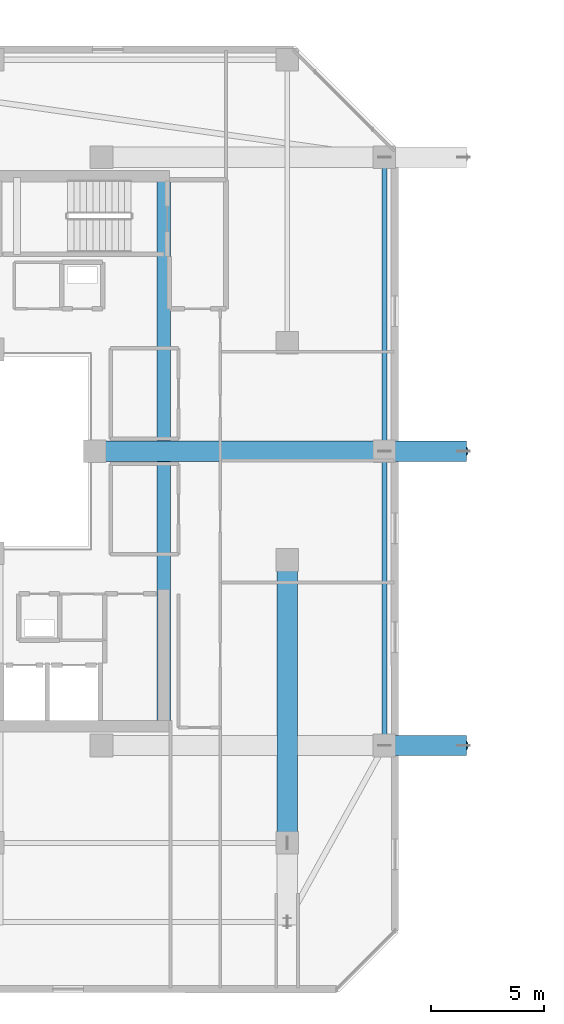
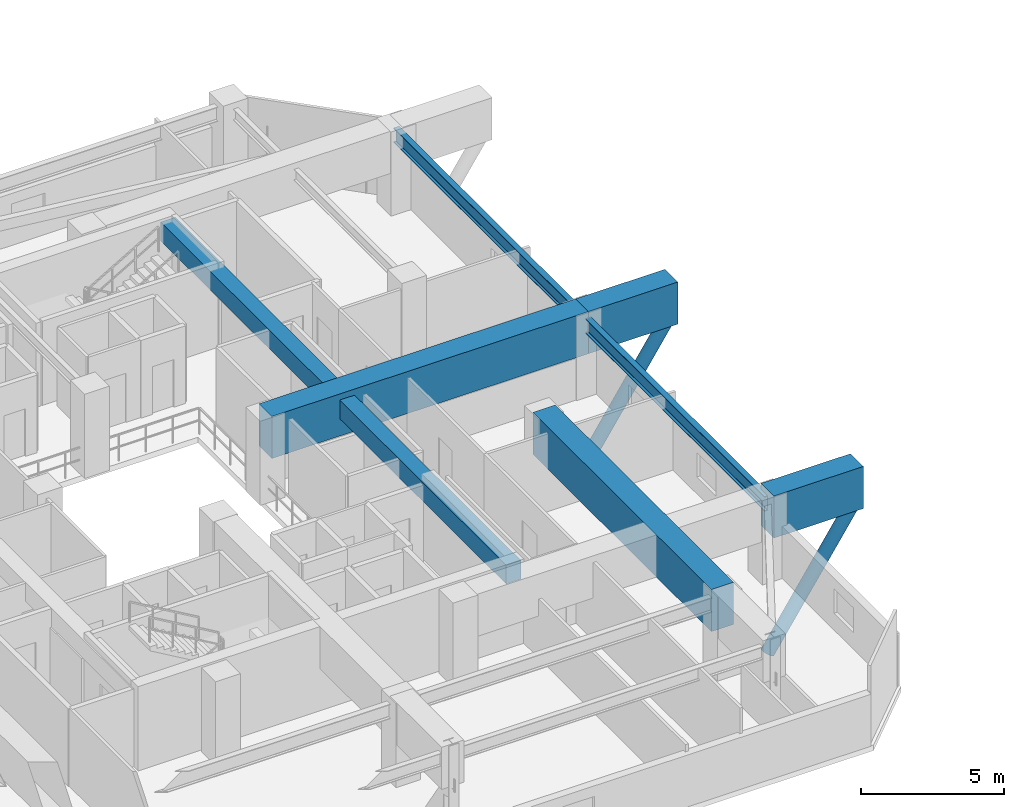
# One storey, part 6 of 34: 7 beams, 2 members.
"""IFC4 building model written with IfcOpenShell, lengths in metres."""

from ifc_helpers import new_model, si_unit, direction, frame, origin, origin_2d, place, context, subcontext, project, spatial, rectangle, hollow_circle, i_section, extrude, material, material_profile, profile_set, type_object, element, save


model = new_model("IFC4")

# Units and contexts
model_context = context("Model", 3, precision=1e-05, world=origin(), true_north=direction((0.0, 1.0)))
body_context = subcontext(model_context, "Body", "Model", "MODEL_VIEW")
ifc_project = project(units=[si_unit("LENGTHUNIT", "METRE"), si_unit("AREAUNIT", "SQUARE_METRE"), si_unit("VOLUMEUNIT", "CUBIC_METRE"), si_unit("PLANEANGLEUNIT", "RADIAN"), si_unit("MASSUNIT", "GRAM", prefix="KILO")], contexts=[model_context])

# Site, building, storey
site_placement = place(None, origin())
site = spatial("IfcSite", under=ifc_project, at=site_placement, CompositionType="ELEMENT")
building_placement = place(site_placement, origin())
building = spatial("IfcBuilding", under=site, at=building_placement, Name="Thornwick Lancets Civic Towers", CompositionType="ELEMENT")
storey_placement = place(building_placement, frame((0.0, 0.0, 251.10009765625)))
storey = spatial("IfcBuildingStorey", under=building, at=storey_placement, Name="L67", CompositionType="ELEMENT", Elevation=251.10009765625)

# Beams
ifc_material_1 = material(Name="Concrete C60/75", Category="concrete")
ifc_material_profile_1 = material_profile(ifc_material_1, rectangle(XDim=0.60009765625, YDim=0.800048828125, at=origin_2d()), Name="RC 600x800")
ifc_profile_set_1 = profile_set([ifc_material_profile_1], Name="Concrete C60/75")
beam_type_1 = type_object("IfcBeamType", Name="BM_COUP_RC800", PredefinedType="BEAM", material=ifc_profile_set_1)
beam_1_placement = place(storey_placement, frame((33.050048828125, 14.89990234375, 2.93994140625), z_axis=(0.0, 1.0, 0.0), x_axis=(-1.0, 0.0, 0.0)))
element("IfcBeam", 1, at=beam_1_placement, inside=storey, type_object=beam_type_1, Name="CB-L67-A1", PredefinedType="BEAM", context=body_context, shape_type="SweptSolid", body=[
    extrude(rectangle(XDim=0.60009765625, YDim=0.800048828125, at=origin_2d()), origin(), (0.0, 0.0, 1.0), 24.2001953125),
])
ifc_material_2 = material(Name="Steel S355JR", Category="steel")
ifc_material_profile_2 = material_profile(ifc_material_2, i_section(OverallWidth=0.230224609375, OverallDepth=0.6171875, WebThickness=0.01318359375, FlangeThickness=0.022216796875, FilletRadius=0.0126953125, at=origin_2d()), Name="UKB 610x229x140")
ifc_profile_set_2 = profile_set([ifc_material_profile_2], Name="Steel S355JR")
beam_type_2 = type_object("IfcBeamType", Name="BM_GIRD_610_140", PredefinedType="BEAM", material=ifc_profile_set_2)
beam_2_placement = place(storey_placement, frame((42.800048828125, 14.0, 3.03125), z_axis=(0.0, 1.0, 0.0), x_axis=(-1.0, 0.0, 0.0)))
element("IfcBeam", 2, at=beam_2_placement, inside=storey, type_object=beam_type_2, Name="BM-SPINE-L67-A-3-4", PredefinedType="BEAM", context=body_context, shape_type="SweptSolid", body=[
    extrude(i_section(OverallWidth=0.230224609375, OverallDepth=0.6171875, WebThickness=0.01318359375, FlangeThickness=0.022216796875, FilletRadius=0.0126953125, at=origin_2d()), origin(), (0.0, 0.0, 1.0), 13.0),
])
beam_3_placement = place(storey_placement, frame((42.800048828125, 27.080078125, 3.03125), z_axis=(0.0, 1.0, 0.0), x_axis=(-1.0, 0.0, 0.0)))
element("IfcBeam", 3, at=beam_3_placement, inside=storey, type_object=beam_type_2, Name="BM-SPINE-L67-A-4-5", PredefinedType="BEAM", context=body_context, shape_type="SweptSolid", body=[
    extrude(i_section(OverallWidth=0.230224609375, OverallDepth=0.6171875, WebThickness=0.01318359375, FlangeThickness=0.022216796875, FilletRadius=0.0126953125, at=origin_2d()), origin(), (0.0, 0.0, 1.0), 12.919921875),
])
ifc_material_profile_3 = material_profile(ifc_material_1, rectangle(XDim=0.89990234375, YDim=1.800048828125, at=origin_2d()), Name="RC 900x1800")
ifc_profile_set_3 = profile_set([ifc_material_profile_3], Name="Concrete C60/75")
beam_type_3 = type_object("IfcBeamType", Name="BM_TR_RC1800", PredefinedType="BEAM", material=ifc_profile_set_3)
beam_4_placement = place(storey_placement, frame((38.5, 22.199951171875, 2.699951171875), z_axis=(0.0, -1.0, 0.0), x_axis=(1.0, 0.0, 0.0)))
element("IfcBeam", 4, at=beam_4_placement, inside=storey, type_object=beam_type_3, Name="TG-BACK-L68-A03", PredefinedType="BEAM", context=body_context, shape_type="SweptSolid", body=[
    extrude(rectangle(XDim=0.89990234375, YDim=1.800048828125, at=origin_2d()), origin(), (0.0, 0.0, 1.0), 12.5),
])
beam_5_placement = place(storey_placement, frame((42.800048828125, 14.0, 2.699951171875), z_axis=(1.0, 0.0, 0.0), x_axis=(0.0, 1.0, 0.0)))
element("IfcBeam", 5, at=beam_5_placement, inside=storey, type_object=beam_type_3, Name="TG-CANT-L68-A04", PredefinedType="BEAM", context=body_context, shape_type="SweptSolid", body=[
    extrude(rectangle(XDim=0.89990234375, YDim=1.800048828125, at=origin_2d()), origin(), (0.0, 0.0, 1.0), 3.619873046875),
])
beam_6_placement = place(storey_placement, frame((30.0, 27.0, 2.699951171875), z_axis=(1.0, 0.0, 0.0), x_axis=(0.0, 1.0, 0.0)))
element("IfcBeam", 6, at=beam_6_placement, inside=storey, type_object=beam_type_3, Name="TG-BACK-L68-A05", PredefinedType="BEAM", context=body_context, shape_type="SweptSolid", body=[
    extrude(rectangle(XDim=0.89990234375, YDim=1.800048828125, at=origin_2d()), origin(), (0.0, 0.0, 1.0), 12.800048828125),
])
beam_7_placement = place(storey_placement, frame((42.800048828125, 27.0, 2.699951171875), z_axis=(1.0, 0.0, 0.0), x_axis=(0.0, 1.0, 0.0)))
element("IfcBeam", 7, at=beam_7_placement, inside=storey, type_object=beam_type_3, Name="TG-CANT-L68-A05", PredefinedType="BEAM", context=body_context, shape_type="SweptSolid", body=[
    extrude(rectangle(XDim=0.89990234375, YDim=1.800048828125, at=origin_2d()), origin(), (0.0, 0.0, 1.0), 3.619873046875),
])

# Members
ifc_material_3 = material(Name="Steel S460M", Category="steel")
ifc_material_profile_4 = material_profile(ifc_material_3, hollow_circle(Radius=0.25390625, WallThickness=0.02490234375, at=origin_2d()), Name="CHS 508x25")
ifc_profile_set_4 = profile_set([ifc_material_profile_4], Name="Steel S460M")
member_type = type_object("IfcMemberType", Name="MEM_STRUT_CHS508", PredefinedType="STRUT", material=ifc_profile_set_4)
for number, where, z_axis, x_axis, name in (
    (8, (42.800048828125, 14.0, -3.35009765625), (0.556167580628, 0.0, 0.831070166868), (0.0, 1.0, 0.0), "L68 Jenga Transfer Raking Strut A04"),
    (9, (42.800048828125, 27.0, -3.35009765625), (0.556167580628, 0.0, 0.831070166868), (0.0, 1.0, 0.0), "L68 Jenga Transfer Raking Strut A05"),
):
    element("IfcMember", number, at=place(storey_placement, frame(where, z_axis=z_axis, x_axis=x_axis)), inside=storey, type_object=member_type, Name=name, PredefinedType="STRUT", context=body_context, shape_type="SweptSolid", body=[
        extrude(hollow_circle(Radius=0.25390625, WallThickness=0.02490234375, at=origin_2d()), origin(), (0.0, 0.0, 1.0), 6.29296875),
    ])

save(model, "model.ifc")
